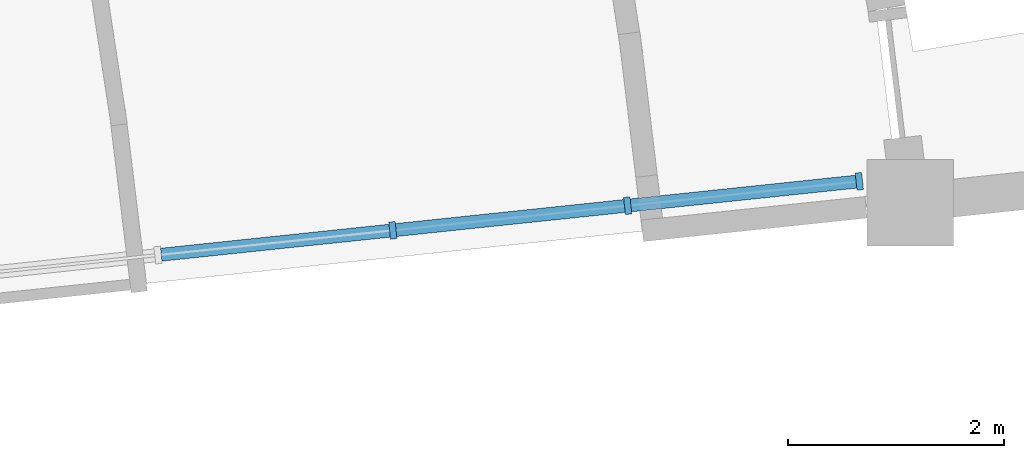
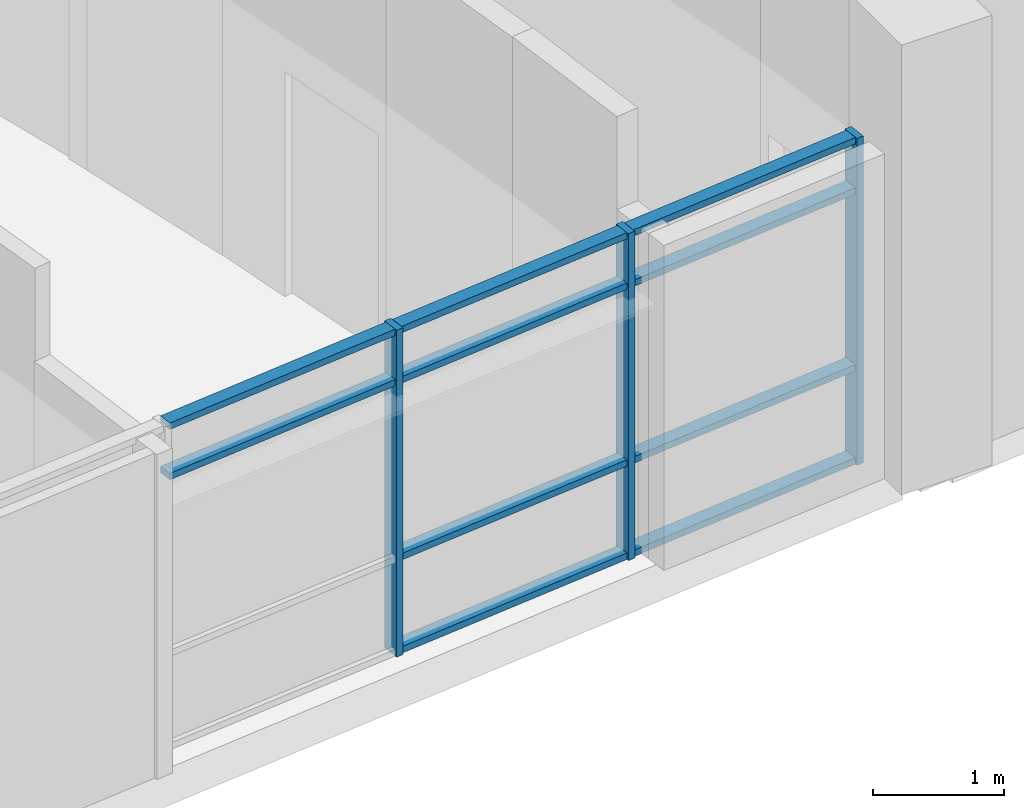
# One storey, part 10 of 137: 13 members, 1 element without a shape of its own.
"""IFC4 building model written with IfcOpenShell, lengths in metres."""

from ifc_helpers import new_model, si_unit, direction, frame, origin, origin_2d, place, context, subcontext, project, spatial, rectangle, extrude, material, material_profile, profile_set, type_object, element, aggregate, save


model = new_model("IFC4")

# Units and contexts
model_context = context("Model", 3, precision=1e-05, world=origin(), true_north=direction((0.0, 1.0)))
body_context = subcontext(model_context, "Body", "Model", "MODEL_VIEW")
ifc_project = project(units=[si_unit("LENGTHUNIT", "METRE"), si_unit("AREAUNIT", "SQUARE_METRE"), si_unit("VOLUMEUNIT", "CUBIC_METRE"), si_unit("PLANEANGLEUNIT", "RADIAN"), si_unit("MASSUNIT", "GRAM", prefix="KILO")], contexts=[model_context])

# Site, building, storey
site_placement = place(None, origin())
site = spatial("IfcSite", under=ifc_project, at=site_placement, CompositionType="ELEMENT")
building_placement = place(site_placement, origin())
building = spatial("IfcBuilding", under=site, at=building_placement, Name="Bougainvillea Quay General Hospital", CompositionType="ELEMENT")
storey_placement = place(building_placement, frame((0.0, 0.0, 16.800048828125)))
storey = spatial("IfcBuildingStorey", under=building, at=storey_placement, Name="L03", CompositionType="ELEMENT", Elevation=16.800048828125)

# Curtain wall, members
ifc_material_1 = material(Name="Aluminium curtain wall system, powder-coated glazed", Category="aluminium")
curtain_wall_type = type_object("IfcCurtainWallType", Name="Unitised curtain wall CW-2190", PredefinedType="NOTDEFINED", material=ifc_material_1)
curtain_wall_placement = place(storey_placement, origin())
curtain_wall = element("IfcCurtainWall", 1, at=curtain_wall_placement, inside=storey, type_object=curtain_wall_type, Name="CW-AE 03", PredefinedType="NOTDEFINED")
ifc_material_2 = material(Name="Aluminium mullion, powder-coated charcoal", Category="aluminium")
ifc_material_profile_1 = material_profile(ifc_material_2, rectangle(XDim=0.159912109375, YDim=0.06005859375, at=origin_2d()))
ifc_profile_set_1 = profile_set([ifc_material_profile_1], Name="Aluminium mullion, powder-coated charcoal")
member_type_1 = type_object("IfcMemberType", Name="Curtain wall mullion 160x60", PredefinedType="MULLION", material=ifc_profile_set_1)
member_1_placement = place(storey_placement, frame((160.888671875, 27.68408203125, 0.0), z_axis=(0.0, 0.0, 1.0), x_axis=(-0.104527173765, 0.9945220309, 0.0)))
member_1 = element("IfcMember", 2, at=member_1_placement, type_object=member_type_1, Name="CW-AE mullion 3", PredefinedType="MULLION", context=body_context, shape_type="SweptSolid", body=[
    extrude(rectangle(XDim=0.159912109375, YDim=0.06005859375, at=origin_2d()), origin(), (0.0, 0.0, 1.0), 3.050048828125),
])
member_2_placement = place(storey_placement, frame((163.066650390625, 27.9130859375, 0.0), z_axis=(0.0, 0.0, 1.0), x_axis=(-0.104527173765, 0.9945220309, 0.0)))
member_2 = element("IfcMember", 3, at=member_2_placement, type_object=member_type_1, Name="CW-AE mullion 4", PredefinedType="MULLION", context=body_context, shape_type="SweptSolid", body=[
    extrude(rectangle(XDim=0.159912109375, YDim=0.06005859375, at=origin_2d()), origin(), (0.0, 0.0, 1.0), 3.050048828125),
])
member_3_placement = place(storey_placement, frame((165.21484375, 28.138671875, 0.0), z_axis=(0.0, 0.0, 1.0), x_axis=(-0.104527173765, 0.9945220309, 0.0)))
member_3 = element("IfcMember", 4, at=member_3_placement, type_object=member_type_1, Name="CW-AE mullion 5", PredefinedType="MULLION", context=body_context, shape_type="SweptSolid", body=[
    extrude(rectangle(XDim=0.159912109375, YDim=0.06005859375, at=origin_2d()), origin(), (0.0, 0.0, 1.0), 3.050048828125),
])
ifc_material_3 = material(Name="Aluminium transom, powder-coated charcoal", Category="aluminium")
ifc_material_profile_2 = material_profile(ifc_material_3, rectangle(XDim=0.1201171875, YDim=0.06005859375, at=origin_2d()))
ifc_profile_set_2 = profile_set([ifc_material_profile_2], Name="Aluminium transom, powder-coated charcoal")
member_type_2 = type_object("IfcMemberType", Name="Curtain wall transom 120x60", PredefinedType="USERDEFINED", material=ifc_profile_set_2)
member_4_placement = place(storey_placement, frame((158.74072265625, 27.458251953125, 2.550048828125), z_axis=(0.994520517099, 0.104541575795, 0.0), x_axis=(-0.104541575795, 0.994520517099, 0.0)))
member_4 = element("IfcMember", 5, at=member_4_placement, type_object=member_type_2, Name="CW-AE transom 2.3", ObjectType="TRANSOM", PredefinedType="USERDEFINED", context=body_context, shape_type="SweptSolid", body=[
    extrude(rectangle(XDim=0.1201171875, YDim=0.06005859375, at=origin_2d()), origin(), (0.0, 0.0, 1.0), 2.1298828125),
])
member_5_placement = place(storey_placement, frame((158.74072265625, 27.458251953125, 3.02001953125), z_axis=(0.994520517099, 0.104541575795, 0.0), x_axis=(-0.104541575795, 0.994520517099, 0.0)))
member_5 = element("IfcMember", 6, at=member_5_placement, type_object=member_type_2, Name="CW-AE transom 2.4", ObjectType="TRANSOM", PredefinedType="USERDEFINED", context=body_context, shape_type="SweptSolid", body=[
    extrude(rectangle(XDim=0.1201171875, YDim=0.06005859375, at=origin_2d()), origin(), (0.0, 0.0, 1.0), 2.1298828125),
])
member_6_placement = place(storey_placement, frame((160.91845703125, 27.687255859375, 0.030029296875), z_axis=(0.994521769657, 0.104529659321, 0.0), x_axis=(-0.104529659321, 0.994521769657, 0.0)))
member_6 = element("IfcMember", 7, at=member_6_placement, type_object=member_type_2, Name="CW-AE transom 3.1", ObjectType="TRANSOM", PredefinedType="USERDEFINED", context=body_context, shape_type="SweptSolid", body=[
    extrude(rectangle(XDim=0.1201171875, YDim=0.06005859375, at=origin_2d()), origin(), (0.0, 0.0, 1.0), 2.130126953125),
])
member_7_placement = place(storey_placement, frame((160.91845703125, 27.687255859375, 0.89990234375), z_axis=(0.994521769657, 0.104529659321, 0.0), x_axis=(-0.104529659321, 0.994521769657, 0.0)))
member_7 = element("IfcMember", 8, at=member_7_placement, type_object=member_type_2, Name="CW-AE transom 3.2", ObjectType="TRANSOM", PredefinedType="USERDEFINED", context=body_context, shape_type="SweptSolid", body=[
    extrude(rectangle(XDim=0.1201171875, YDim=0.06005859375, at=origin_2d()), origin(), (0.0, 0.0, 1.0), 2.130126953125),
])
member_8_placement = place(storey_placement, frame((160.91845703125, 27.687255859375, 2.550048828125), z_axis=(0.994521769657, 0.104529659321, 0.0), x_axis=(-0.104529659321, 0.994521769657, 0.0)))
member_8 = element("IfcMember", 9, at=member_8_placement, type_object=member_type_2, Name="CW-AE transom 3.3", ObjectType="TRANSOM", PredefinedType="USERDEFINED", context=body_context, shape_type="SweptSolid", body=[
    extrude(rectangle(XDim=0.1201171875, YDim=0.06005859375, at=origin_2d()), origin(), (0.0, 0.0, 1.0), 2.130126953125),
])
member_9_placement = place(storey_placement, frame((160.91845703125, 27.687255859375, 3.02001953125), z_axis=(0.994521769657, 0.104529659321, 0.0), x_axis=(-0.104529659321, 0.994521769657, 0.0)))
member_9 = element("IfcMember", 10, at=member_9_placement, type_object=member_type_2, Name="CW-AE transom 3.4", ObjectType="TRANSOM", PredefinedType="USERDEFINED", context=body_context, shape_type="SweptSolid", body=[
    extrude(rectangle(XDim=0.1201171875, YDim=0.06005859375, at=origin_2d()), origin(), (0.0, 0.0, 1.0), 2.130126953125),
])
member_10_placement = place(storey_placement, frame((163.096435546875, 27.916015625, 0.030029296875), z_axis=(0.994522640205, 0.104521376379, 0.0), x_axis=(-0.104521376379, 0.994522640205, 0.0)))
member_10 = element("IfcMember", 11, at=member_10_placement, type_object=member_type_2, Name="CW-AE transom 4.1", ObjectType="TRANSOM", PredefinedType="USERDEFINED", context=body_context, shape_type="SweptSolid", body=[
    extrude(rectangle(XDim=0.1201171875, YDim=0.06005859375, at=origin_2d()), origin(), (0.0, 0.0, 1.0), 2.099853515625),
])
member_11_placement = place(storey_placement, frame((163.096435546875, 27.916015625, 0.89990234375), z_axis=(0.994522640205, 0.104521376379, 0.0), x_axis=(-0.104521376379, 0.994522640205, 0.0)))
member_11 = element("IfcMember", 12, at=member_11_placement, type_object=member_type_2, Name="CW-AE transom 4.2", ObjectType="TRANSOM", PredefinedType="USERDEFINED", context=body_context, shape_type="SweptSolid", body=[
    extrude(rectangle(XDim=0.1201171875, YDim=0.06005859375, at=origin_2d()), origin(), (0.0, 0.0, 1.0), 2.099853515625),
])
member_12_placement = place(storey_placement, frame((163.096435546875, 27.916015625, 2.550048828125), z_axis=(0.994522640205, 0.104521376379, 0.0), x_axis=(-0.104521376379, 0.994522640205, 0.0)))
member_12 = element("IfcMember", 13, at=member_12_placement, type_object=member_type_2, Name="CW-AE transom 4.3", ObjectType="TRANSOM", PredefinedType="USERDEFINED", context=body_context, shape_type="SweptSolid", body=[
    extrude(rectangle(XDim=0.1201171875, YDim=0.06005859375, at=origin_2d()), origin(), (0.0, 0.0, 1.0), 2.099853515625),
])
member_13_placement = place(storey_placement, frame((163.096435546875, 27.916015625, 3.02001953125), z_axis=(0.994522640205, 0.104521376379, 0.0), x_axis=(-0.104521376379, 0.994522640205, 0.0)))
member_13 = element("IfcMember", 14, at=member_13_placement, type_object=member_type_2, Name="CW-AE transom 4.4", ObjectType="TRANSOM", PredefinedType="USERDEFINED", context=body_context, shape_type="SweptSolid", body=[
    extrude(rectangle(XDim=0.1201171875, YDim=0.06005859375, at=origin_2d()), origin(), (0.0, 0.0, 1.0), 2.099853515625),
])
aggregate(curtain_wall, [member_1, member_2, member_3, member_4, member_5, member_6, member_7, member_8, member_9, member_10, member_11, member_12, member_13])

save(model, "model.ifc")
